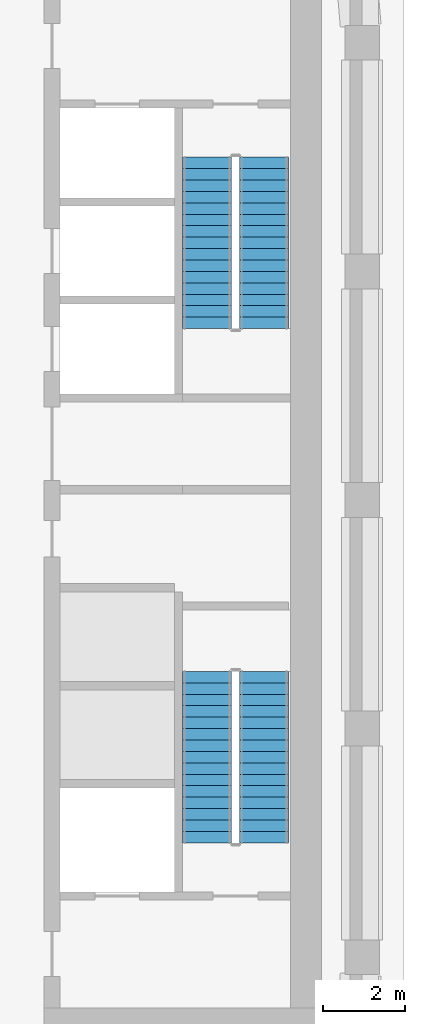
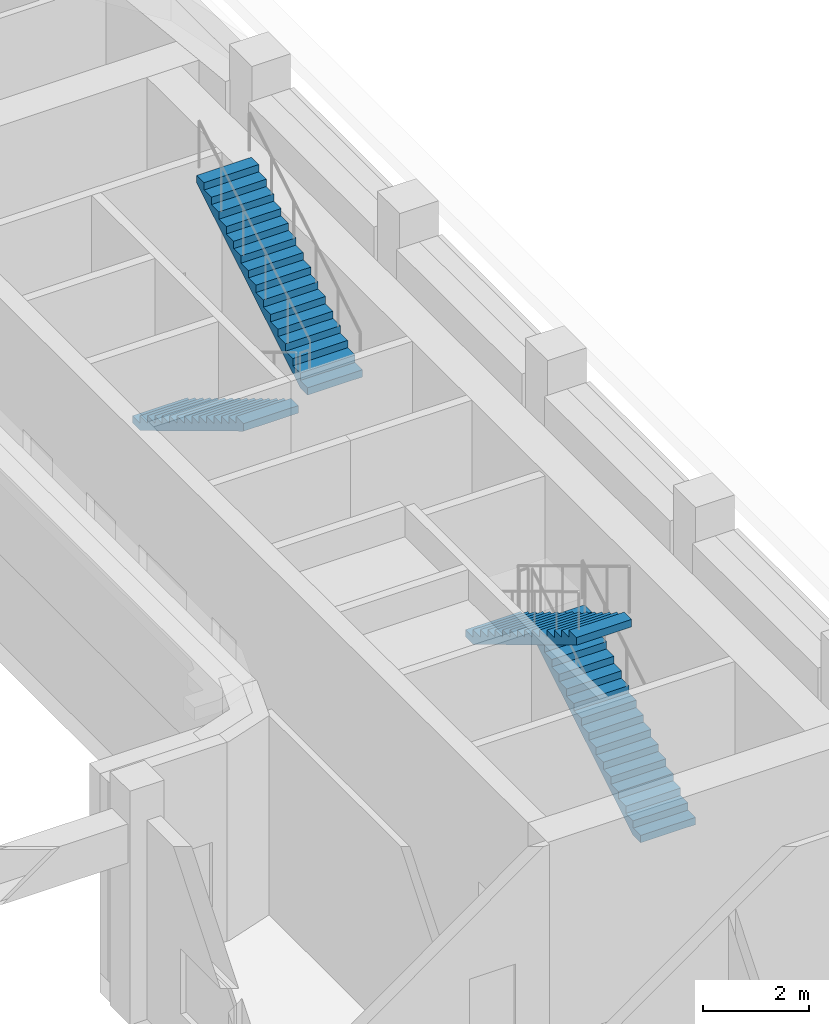
# One storey, part 6 of 13: 4 stair flights, 2 elements without a shape of their own.
"""IFC4 building model written with IfcOpenShell, lengths in metres."""

import ifcopenshell
import ifcopenshell.guid

model = None  # the IFC model being written
_history = None  # IfcOwnerHistory: only IFC2X3 demands one
_inside = {}  # id of a spatial element -> (the spatial element, [elements in it])
_under = {}  # id of a project, library or spatial element -> (it, [spatial elements below it])
_declared = {}  # id of a project -> (the project, [libraries it declares])
_typed = {}  # id of a type object -> (the type object, [elements of that type])
_made_of = {}  # id of a material, layer set ... -> (it, [elements and type objects made of it])


def new_model(schema):
    """Start an empty IFC model of exactly this schema.

    Asked for "IFC4X3", IfcOpenShell would pick the latest addendum, in which some entities
    have other attributes; the version numbers below select the first issue.
    IFC2X3 requires an IfcOwnerHistory on every rooted entity: one is made here for all.
    """
    global model, _history
    if schema == "IFC4X3":
        model = ifcopenshell.file(schema_version=(4, 3, 0, 0))
    else:
        model = ifcopenshell.file(schema=schema)
    _inside.clear()
    _under.clear()
    _declared.clear()
    _typed.clear()
    _made_of.clear()
    _history = None
    if model.schema == "IFC2X3":
        org = make("IfcOrganization", Name="unknown")
        user = make(
            "IfcPersonAndOrganization",
            ThePerson=make("IfcPerson", FamilyName="unknown"),
            TheOrganization=org,
        )
        app = make(
            "IfcApplication",
            ApplicationDeveloper=org,
            Version="unknown",
            ApplicationFullName="unknown",
            ApplicationIdentifier="unknown",
        )
        _history = make(
            "IfcOwnerHistory",
            OwningUser=user,
            OwningApplication=app,
            ChangeAction="ADDED",
            CreationDate=0,
        )
    return model


def make(cls, **values):
    """One entity of the class cls with the attributes given. An attribute that is None is left unset."""
    return model.create_entity(
        cls, **{name: value for name, value in values.items() if value is not None}
    )


def rooted(cls, **values):
    """An entity with a GlobalId (a new one), such as an element, a storey or a relation."""
    return make(cls, GlobalId=ifcopenshell.guid.new(), OwnerHistory=_history, **values)


def si_unit(unit_type, name, prefix=None):
    """IfcSIUnit, for example si_unit("LENGTHUNIT", "METRE", prefix="MILLI")."""
    return make("IfcSIUnit", UnitType=unit_type, Prefix=prefix, Name=name)


def assignment(units):
    """IfcUnitAssignment: the units of a project."""
    return None if units is None else make("IfcUnitAssignment", Units=units)


def point(xyz):
    """IfcCartesianPoint."""
    return None if xyz is None else make("IfcCartesianPoint", Coordinates=xyz)


def direction(xyz):
    """IfcDirection."""
    return None if xyz is None else make("IfcDirection", DirectionRatios=xyz)


def frame(location, z_axis=None, x_axis=None):
    """IfcAxis2Placement3D, a coordinate frame: its origin and axes. An axis left out is left unset."""
    return make(
        "IfcAxis2Placement3D",
        Location=point(location),
        Axis=direction(z_axis),
        RefDirection=direction(x_axis),
    )


def origin():
    """The frame at (0, 0, 0) with its axes left unset."""
    return frame((0.0, 0.0, 0.0))


def place(relative_to, where):
    """IfcLocalPlacement: puts the frame where relative to a parent placement (None: the world)."""
    return make(
        "IfcLocalPlacement", PlacementRelTo=relative_to, RelativePlacement=where
    )


def context(
    kind, dimensions, precision=None, world=None, true_north=None, identifier=None
):
    """IfcGeometricRepresentationContext, for example the 3D "Model" context."""
    return make(
        "IfcGeometricRepresentationContext",
        ContextIdentifier=identifier,
        ContextType=kind,
        CoordinateSpaceDimension=dimensions,
        Precision=precision,
        WorldCoordinateSystem=world,
        TrueNorth=true_north,
    )


def subcontext(parent, identifier, kind, view, scale=None):
    """IfcGeometricRepresentationSubContext, for example "Body" below "Model"."""
    return make(
        "IfcGeometricRepresentationSubContext",
        ContextIdentifier=identifier,
        ContextType=kind,
        ParentContext=parent,
        TargetScale=scale,
        TargetView=view,
    )


def project(units=None, contexts=None):
    """IfcProject with its units and contexts."""
    return rooted(
        "IfcProject",
        Name="project",
        RepresentationContexts=contexts,
        UnitsInContext=assignment(units),
    )


def spatial(cls, under=None, at=None, **own):
    """A site, building, storey or space (cls), placed at a placement, below another one or the project."""
    s = rooted(cls, ObjectPlacement=at, **own)
    if under is not None:
        _under.setdefault(under.id(), (under, []))[1].append(s)
    return s


def polyline(points):
    """IfcPolyline through the points."""
    return make("IfcPolyline", Points=[point(p) for p in points])


def outline(outer, holes=None, kind="AREA"):
    """IfcArbitraryClosedProfileDef: a profile drawn as a closed curve; with holes, ...WithVoids."""
    if holes is None:
        return make("IfcArbitraryClosedProfileDef", ProfileType=kind, OuterCurve=outer)
    return make(
        "IfcArbitraryProfileDefWithVoids",
        ProfileType=kind,
        OuterCurve=outer,
        InnerCurves=holes,
    )


def extrude(swept, where, along, depth):
    """IfcExtrudedAreaSolid: the profile swept, set in the frame where, extruded along a direction by depth."""
    return make(
        "IfcExtrudedAreaSolid",
        SweptArea=swept,
        Position=where,
        ExtrudedDirection=direction(along),
        Depth=depth,
    )


def shape(context_of_items, identifier, shape_type, items):
    """IfcShapeRepresentation: the items that make up one representation, for example the "Body"."""
    return make(
        "IfcShapeRepresentation",
        ContextOfItems=context_of_items,
        RepresentationIdentifier=identifier,
        RepresentationType=shape_type,
        Items=items,
    )


def material(Name=None, Category=None):
    """IfcMaterial."""
    return make("IfcMaterial", Name=Name, Category=Category)


def made_of(thing, what):
    """Note that an element or type object is made of a material, layer set ...; save() writes the relation."""
    if what is not None:
        _made_of.setdefault(what.id(), (what, []))[1].append(thing)
    return thing


def type_object(cls, material=None, **own):
    """A type object (cls), such as IfcWallType, which elements share."""
    return made_of(rooted(cls, **own), material)


def element(
    cls,
    number,
    at=None,
    inside=None,
    cuts=None,
    type_object=None,
    material=None,
    context=None,
    identifier="Body",
    shape_type=None,
    held_by="IfcProductDefinitionShape",
    body=None,
    shapes=None,
    **own,
):
    """One element of the class cls, such as IfcWall. Its Tag is "e" and its number.

    at: its placement. inside: the storey or other place that contains it. cuts: it is an
    opening in that element (IfcRelVoidsElement). A single representation is given by context,
    identifier, shape_type and body (its items); several are given by shapes. held_by: the class
    of the entity that holds the representations. save() writes the other relations.
    """
    e = rooted(cls, Tag="e%d" % number, ObjectPlacement=at, **own)
    if body is not None:
        shapes = [shape(context, identifier, shape_type, body)]
    if shapes is not None:
        e.Representation = make(held_by, Representations=shapes)
    if inside is not None:
        _inside.setdefault(inside.id(), (inside, []))[1].append(e)
    if cuts is not None:
        rooted(
            "IfcRelVoidsElement", RelatingBuildingElement=cuts, RelatedOpeningElement=e
        )
    if type_object is not None:
        _typed.setdefault(type_object.id(), (type_object, []))[1].append(e)
    return made_of(e, material)


def aggregate(whole, parts):
    """IfcRelAggregates: a whole, such as a stair, and the parts it consists of."""
    return rooted("IfcRelAggregates", RelatingObject=whole, RelatedObjects=parts)


def save(model, path):
    """Write the relations noted so far, then the file.

    IfcRelAggregates (storeys below a building ...), IfcRelContainedInSpatialStructure (elements
    in a storey), IfcRelDefinesByType, IfcRelAssociatesMaterial and IfcRelDeclares: one each for
    every whole, place, type object, material and project.
    """
    for whole, parts in _under.values():
        aggregate(whole, parts)
    for where, things in _inside.values():
        rooted(
            "IfcRelContainedInSpatialStructure",
            RelatedElements=things,
            RelatingStructure=where,
        )
    for kind, things in _typed.values():
        rooted("IfcRelDefinesByType", RelatedObjects=things, RelatingType=kind)
    for what, things in _made_of.values():
        rooted("IfcRelAssociatesMaterial", RelatedObjects=things, RelatingMaterial=what)
    for by, libraries in _declared.values():
        rooted("IfcRelDeclares", RelatingContext=by, RelatedDefinitions=libraries)
    model.write(path)


model = new_model("IFC4")

# Units and contexts
model_context = context("Model", 3, precision=1e-05, world=origin(), true_north=direction((0.0, 1.0)))
body_context = subcontext(model_context, "Body", "Model", "MODEL_VIEW")
ifc_project = project(units=[si_unit("LENGTHUNIT", "METRE"), si_unit("AREAUNIT", "SQUARE_METRE"), si_unit("VOLUMEUNIT", "CUBIC_METRE"), si_unit("PLANEANGLEUNIT", "RADIAN"), si_unit("MASSUNIT", "GRAM", prefix="KILO")], contexts=[model_context])

# Site, building, storey
site_placement = place(None, origin())
site = spatial("IfcSite", under=ifc_project, at=site_placement, CompositionType="ELEMENT")
building_placement = place(site_placement, origin())
building = spatial("IfcBuilding", under=site, at=building_placement, Name="Kiln Ring Residences", CompositionType="ELEMENT")
storey_placement = place(building_placement, frame((0.0, 0.0, 236.300048828125)))
storey = spatial("IfcBuildingStorey", under=building, at=storey_placement, Name="L61", CompositionType="ELEMENT", Elevation=236.300048828125)

# Stair, stair flights
ifc_material_1 = material(Name="Concrete C40/50", Category="concrete")
stair_type = type_object("IfcStairType", Name="CORE-STAIR", PredefinedType="HALF_TURN_STAIR", material=ifc_material_1)
placement = place(storey_placement, origin())
stair_1 = element("IfcStair", 1, at=placement, inside=storey, type_object=stair_type, Name="L61 stair E-STN", PredefinedType="HALF_TURN_STAIR")
ifc_material_2 = material(Name="Concrete C40/50", Category="concrete")
stair_flight_type = type_object("IfcStairFlightType", Name="CORE-STAIR-FLIGHT", PredefinedType="STRAIGHT", material=ifc_material_2)
stair_flight_1_placement = place(storey_placement, frame((21.39990234375, 8.39990234375, 0.0), z_axis=(0.0, 0.0, 1.0), x_axis=(0.0, -1.0, 0.0)))
stair_flight_1 = element("IfcStairFlight", 2, at=stair_flight_1_placement, type_object=stair_flight_type, Name="E-STN flight 1", NumberOfRisers=16, NumberOfTreads=15, PredefinedType="STRAIGHT", RiserHeight=0.16875, TreadLength=0.28, context=body_context, shape_type="SweptSolid", body=[
    extrude(outline(polyline([(0.0, 0.0), (0.0, 0.168701171875), (0.280029296875, 0.168701171875), (0.280029296875, 0.33740234375), (0.56005859375, 0.33740234375), (0.56005859375, 0.50634765625), (0.840087890625, 0.50634765625), (0.840087890625, 0.675048828125), (1.1201171875, 0.675048828125), (1.1201171875, 0.84375), (1.39990234375, 0.84375), (1.39990234375, 1.012451171875), (1.679931640625, 1.012451171875), (1.679931640625, 1.18115234375), (1.9599609375, 1.18115234375), (1.9599609375, 1.35009765625), (2.239990234375, 1.35009765625), (2.239990234375, 1.518798828125), (2.52001953125, 1.518798828125), (2.52001953125, 1.6875), (2.800048828125, 1.6875), (2.800048828125, 1.856201171875), (3.080078125, 1.856201171875), (3.080078125, 2.02490234375), (3.360107421875, 2.02490234375), (3.360107421875, 2.19384765625), (3.639892578125, 2.19384765625), (3.639892578125, 2.362548828125), (3.919921875, 2.362548828125), (3.919921875, 2.53125), (4.199951171875, 2.53125), (4.199951171875, 2.699951171875), (4.199951171875, 2.356201171875), (0.29052734375, 0.0), (0.0, 0.0)])), frame((0.0, 0.60009765625, 0.0), z_axis=(0.0, -1.0, 0.0), x_axis=(1.0, 0.0, 0.0)), (0.0, 0.0, 1.0), 1.199951171875),
])
stair_flight_2_placement = place(storey_placement, frame((22.800048828125, 4.199951171875, 2.699951171875), z_axis=(0.0, 0.0, 1.0), x_axis=(0.0, 1.0, 0.0)))
stair_flight_2 = element("IfcStairFlight", 3, at=stair_flight_2_placement, type_object=stair_flight_type, Name="E-STN flight 2", NumberOfRisers=16, NumberOfTreads=15, PredefinedType="STRAIGHT", RiserHeight=0.16875, TreadLength=0.28, context=body_context, shape_type="SweptSolid", body=[
    extrude(outline(polyline([(0.0, 0.0), (0.0, 0.168701171875), (0.280029296875, 0.168701171875), (0.280029296875, 0.33740234375), (0.56005859375, 0.33740234375), (0.56005859375, 0.50634765625), (0.840087890625, 0.50634765625), (0.840087890625, 0.675048828125), (1.1201171875, 0.675048828125), (1.1201171875, 0.84375), (1.39990234375, 0.84375), (1.39990234375, 1.012451171875), (1.679931640625, 1.012451171875), (1.679931640625, 1.18115234375), (1.9599609375, 1.18115234375), (1.9599609375, 1.35009765625), (2.239990234375, 1.35009765625), (2.239990234375, 1.518798828125), (2.52001953125, 1.518798828125), (2.52001953125, 1.6875), (2.800048828125, 1.6875), (2.800048828125, 1.856201171875), (3.080078125, 1.856201171875), (3.080078125, 2.02490234375), (3.360107421875, 2.02490234375), (3.360107421875, 2.19384765625), (3.639892578125, 2.19384765625), (3.639892578125, 2.362548828125), (3.919921875, 2.362548828125), (3.919921875, 2.53125), (4.199951171875, 2.53125), (4.199951171875, 2.699951171875), (4.199951171875, 2.356201171875), (0.29052734375, 0.0), (0.0, 0.0)])), frame((0.0, 0.60009765625, 0.0), z_axis=(0.0, -1.0, 0.0), x_axis=(1.0, 0.0, 0.0)), (0.0, 0.0, 1.0), 1.199951171875),
])
aggregate(stair_1, [stair_flight_1, stair_flight_2])

stair_2 = element("IfcStair", 4, at=placement, inside=storey, type_object=stair_type, Name="L61 stair E-STS", PredefinedType="HALF_TURN_STAIR")
stair_flight_3_placement = place(storey_placement, frame((22.800048828125, -8.39990234375, 0.0), z_axis=(0.0, 0.0, 1.0), x_axis=(0.0, 1.0, 0.0)))
stair_flight_3 = element("IfcStairFlight", 5, at=stair_flight_3_placement, type_object=stair_flight_type, Name="E-STS flight 1", NumberOfRisers=16, NumberOfTreads=15, PredefinedType="STRAIGHT", RiserHeight=0.16875, TreadLength=0.28, context=body_context, shape_type="SweptSolid", body=[
    extrude(outline(polyline([(0.0, 0.0), (0.0, 0.168701171875), (0.280029296875, 0.168701171875), (0.280029296875, 0.33740234375), (0.56005859375, 0.33740234375), (0.56005859375, 0.50634765625), (0.840087890625, 0.50634765625), (0.840087890625, 0.675048828125), (1.1201171875, 0.675048828125), (1.1201171875, 0.84375), (1.39990234375, 0.84375), (1.39990234375, 1.012451171875), (1.679931640625, 1.012451171875), (1.679931640625, 1.18115234375), (1.9599609375, 1.18115234375), (1.9599609375, 1.35009765625), (2.239990234375, 1.35009765625), (2.239990234375, 1.518798828125), (2.52001953125, 1.518798828125), (2.52001953125, 1.6875), (2.800048828125, 1.6875), (2.800048828125, 1.856201171875), (3.080078125, 1.856201171875), (3.080078125, 2.02490234375), (3.360107421875, 2.02490234375), (3.360107421875, 2.19384765625), (3.639892578125, 2.19384765625), (3.639892578125, 2.362548828125), (3.919921875, 2.362548828125), (3.919921875, 2.53125), (4.199951171875, 2.53125), (4.199951171875, 2.699951171875), (4.199951171875, 2.356201171875), (0.29052734375, 0.0), (0.0, 0.0)])), frame((0.0, 0.60009765625, 0.0), z_axis=(0.0, -1.0, 0.0), x_axis=(1.0, 0.0, 0.0)), (0.0, 0.0, 1.0), 1.199951171875),
])
stair_flight_4_placement = place(storey_placement, frame((21.39990234375, -4.199951171875, 2.699951171875), z_axis=(0.0, 0.0, 1.0), x_axis=(0.0, -1.0, 0.0)))
stair_flight_4 = element("IfcStairFlight", 6, at=stair_flight_4_placement, type_object=stair_flight_type, Name="E-STS flight 2", NumberOfRisers=16, NumberOfTreads=15, PredefinedType="STRAIGHT", RiserHeight=0.16875, TreadLength=0.28, context=body_context, shape_type="SweptSolid", body=[
    extrude(outline(polyline([(0.0, 0.0), (0.0, 0.168701171875), (0.280029296875, 0.168701171875), (0.280029296875, 0.33740234375), (0.56005859375, 0.33740234375), (0.56005859375, 0.50634765625), (0.840087890625, 0.50634765625), (0.840087890625, 0.675048828125), (1.1201171875, 0.675048828125), (1.1201171875, 0.84375), (1.39990234375, 0.84375), (1.39990234375, 1.012451171875), (1.679931640625, 1.012451171875), (1.679931640625, 1.18115234375), (1.9599609375, 1.18115234375), (1.9599609375, 1.35009765625), (2.239990234375, 1.35009765625), (2.239990234375, 1.518798828125), (2.52001953125, 1.518798828125), (2.52001953125, 1.6875), (2.800048828125, 1.6875), (2.800048828125, 1.856201171875), (3.080078125, 1.856201171875), (3.080078125, 2.02490234375), (3.360107421875, 2.02490234375), (3.360107421875, 2.19384765625), (3.639892578125, 2.19384765625), (3.639892578125, 2.362548828125), (3.919921875, 2.362548828125), (3.919921875, 2.53125), (4.199951171875, 2.53125), (4.199951171875, 2.699951171875), (4.199951171875, 2.356201171875), (0.29052734375, 0.0), (0.0, 0.0)])), frame((0.0, 0.60009765625, 0.0), z_axis=(0.0, -1.0, 0.0), x_axis=(1.0, 0.0, 0.0)), (0.0, 0.0, 1.0), 1.199951171875),
])
aggregate(stair_2, [stair_flight_3, stair_flight_4])

save(model, "model.ifc")
